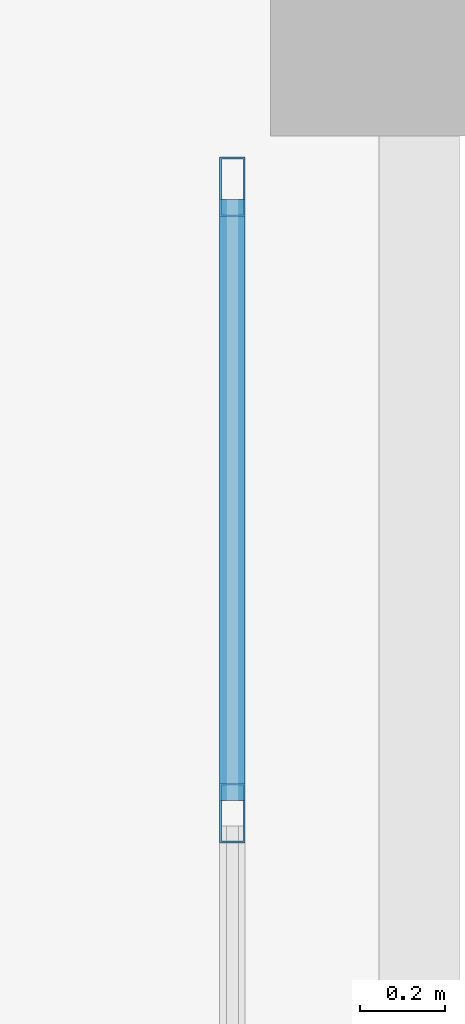
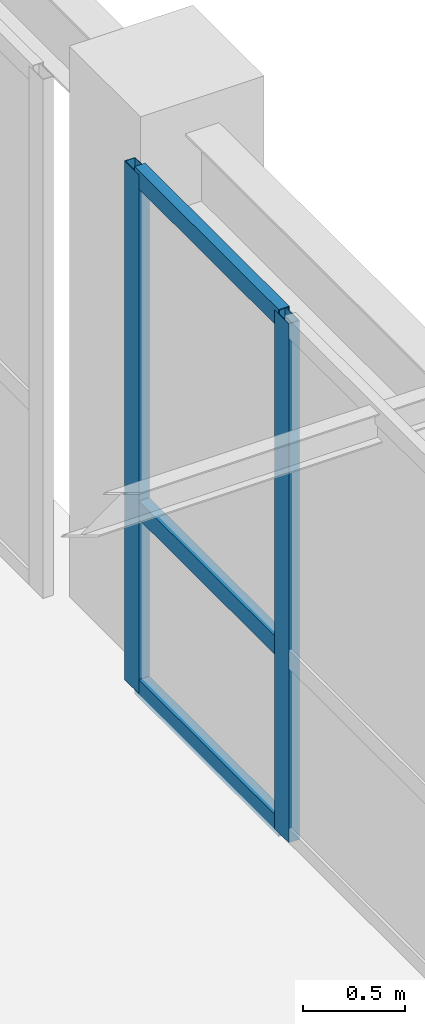
# One storey, part 37 of 148: 5 members, 1 element without a shape of its own.
"""IFC4 building model written with IfcOpenShell, lengths in metres."""

import ifcopenshell
import ifcopenshell.guid

model = None  # the IFC model being written
_history = None  # IfcOwnerHistory: only IFC2X3 demands one
_inside = {}  # id of a spatial element -> (the spatial element, [elements in it])
_under = {}  # id of a project, library or spatial element -> (it, [spatial elements below it])
_declared = {}  # id of a project -> (the project, [libraries it declares])
_typed = {}  # id of a type object -> (the type object, [elements of that type])
_made_of = {}  # id of a material, layer set ... -> (it, [elements and type objects made of it])


def new_model(schema):
    """Start an empty IFC model of exactly this schema.

    Asked for "IFC4X3", IfcOpenShell would pick the latest addendum, in which some entities
    have other attributes; the version numbers below select the first issue.
    IFC2X3 requires an IfcOwnerHistory on every rooted entity: one is made here for all.
    """
    global model, _history
    if schema == "IFC4X3":
        model = ifcopenshell.file(schema_version=(4, 3, 0, 0))
    else:
        model = ifcopenshell.file(schema=schema)
    _inside.clear()
    _under.clear()
    _declared.clear()
    _typed.clear()
    _made_of.clear()
    _history = None
    if model.schema == "IFC2X3":
        org = make("IfcOrganization", Name="unknown")
        user = make(
            "IfcPersonAndOrganization",
            ThePerson=make("IfcPerson", FamilyName="unknown"),
            TheOrganization=org,
        )
        app = make(
            "IfcApplication",
            ApplicationDeveloper=org,
            Version="unknown",
            ApplicationFullName="unknown",
            ApplicationIdentifier="unknown",
        )
        _history = make(
            "IfcOwnerHistory",
            OwningUser=user,
            OwningApplication=app,
            ChangeAction="ADDED",
            CreationDate=0,
        )
    return model


def make(cls, **values):
    """One entity of the class cls with the attributes given. An attribute that is None is left unset."""
    return model.create_entity(
        cls, **{name: value for name, value in values.items() if value is not None}
    )


def rooted(cls, **values):
    """An entity with a GlobalId (a new one), such as an element, a storey or a relation."""
    return make(cls, GlobalId=ifcopenshell.guid.new(), OwnerHistory=_history, **values)


def si_unit(unit_type, name, prefix=None):
    """IfcSIUnit, for example si_unit("LENGTHUNIT", "METRE", prefix="MILLI")."""
    return make("IfcSIUnit", UnitType=unit_type, Prefix=prefix, Name=name)


def assignment(units):
    """IfcUnitAssignment: the units of a project."""
    return None if units is None else make("IfcUnitAssignment", Units=units)


def point(xyz):
    """IfcCartesianPoint."""
    return None if xyz is None else make("IfcCartesianPoint", Coordinates=xyz)


def direction(xyz):
    """IfcDirection."""
    return None if xyz is None else make("IfcDirection", DirectionRatios=xyz)


def frame(location, z_axis=None, x_axis=None):
    """IfcAxis2Placement3D, a coordinate frame: its origin and axes. An axis left out is left unset."""
    return make(
        "IfcAxis2Placement3D",
        Location=point(location),
        Axis=direction(z_axis),
        RefDirection=direction(x_axis),
    )


def frame_2d(location, x_axis=None):
    """IfcAxis2Placement2D, a coordinate frame in the plane: its origin and x axis."""
    return make(
        "IfcAxis2Placement2D", Location=point(location), RefDirection=direction(x_axis)
    )


def origin():
    """The frame at (0, 0, 0) with its axes left unset."""
    return frame((0.0, 0.0, 0.0))


def origin_2d():
    """The frame at (0, 0) in the plane with its x axis left unset."""
    return frame_2d((0.0, 0.0))


def place(relative_to, where):
    """IfcLocalPlacement: puts the frame where relative to a parent placement (None: the world)."""
    return make(
        "IfcLocalPlacement", PlacementRelTo=relative_to, RelativePlacement=where
    )


def context(
    kind, dimensions, precision=None, world=None, true_north=None, identifier=None
):
    """IfcGeometricRepresentationContext, for example the 3D "Model" context."""
    return make(
        "IfcGeometricRepresentationContext",
        ContextIdentifier=identifier,
        ContextType=kind,
        CoordinateSpaceDimension=dimensions,
        Precision=precision,
        WorldCoordinateSystem=world,
        TrueNorth=true_north,
    )


def subcontext(parent, identifier, kind, view, scale=None):
    """IfcGeometricRepresentationSubContext, for example "Body" below "Model"."""
    return make(
        "IfcGeometricRepresentationSubContext",
        ContextIdentifier=identifier,
        ContextType=kind,
        ParentContext=parent,
        TargetScale=scale,
        TargetView=view,
    )


def project(units=None, contexts=None):
    """IfcProject with its units and contexts."""
    return rooted(
        "IfcProject",
        Name="project",
        RepresentationContexts=contexts,
        UnitsInContext=assignment(units),
    )


def spatial(cls, under=None, at=None, **own):
    """A site, building, storey or space (cls), placed at a placement, below another one or the project."""
    s = rooted(cls, ObjectPlacement=at, **own)
    if under is not None:
        _under.setdefault(under.id(), (under, []))[1].append(s)
    return s


def profile(cls, at=None, kind="AREA", **sizes):
    """A parametric profile (cls). Its sizes go by their IFC names, for example OverallWidth=200.0."""
    return make(cls, ProfileType=kind, Position=at, **sizes)


def hollow_rectangle(**sizes):
    """IfcRectangleHollowProfileDef."""
    return profile("IfcRectangleHollowProfileDef", **sizes)


def extrude(swept, where, along, depth):
    """IfcExtrudedAreaSolid: the profile swept, set in the frame where, extruded along a direction by depth."""
    return make(
        "IfcExtrudedAreaSolid",
        SweptArea=swept,
        Position=where,
        ExtrudedDirection=direction(along),
        Depth=depth,
    )


def shape(context_of_items, identifier, shape_type, items):
    """IfcShapeRepresentation: the items that make up one representation, for example the "Body"."""
    return make(
        "IfcShapeRepresentation",
        ContextOfItems=context_of_items,
        RepresentationIdentifier=identifier,
        RepresentationType=shape_type,
        Items=items,
    )


def material(Name=None, Category=None):
    """IfcMaterial."""
    return make("IfcMaterial", Name=Name, Category=Category)


def layer(
    of_material, thickness, ventilated=None, Name=None, Category=None, Priority=None
):
    """IfcMaterialLayer: one layer of a wall or slab, of a material (None: an air gap)."""
    return make(
        "IfcMaterialLayer",
        Material=of_material,
        LayerThickness=thickness,
        IsVentilated=ventilated,
        Name=Name,
        Category=Category,
        Priority=Priority,
    )


def layer_set(layers, Name=None):
    """IfcMaterialLayerSet."""
    return make("IfcMaterialLayerSet", MaterialLayers=layers, LayerSetName=Name)


def material_profile(
    of_material, cross_section, Name=None, Category=None, Priority=None
):
    """IfcMaterialProfile: a cross section and its material."""
    return make(
        "IfcMaterialProfile",
        Name=Name,
        Material=of_material,
        Profile=cross_section,
        Priority=Priority,
        Category=Category,
    )


def profile_set(profiles, Name=None, composite=None):
    """IfcMaterialProfileSet."""
    return make(
        "IfcMaterialProfileSet",
        Name=Name,
        MaterialProfiles=profiles,
        CompositeProfile=composite,
    )


def made_of(thing, what):
    """Note that an element or type object is made of a material, layer set ...; save() writes the relation."""
    if what is not None:
        _made_of.setdefault(what.id(), (what, []))[1].append(thing)
    return thing


def type_object(cls, material=None, **own):
    """A type object (cls), such as IfcWallType, which elements share."""
    return made_of(rooted(cls, **own), material)


def element(
    cls,
    number,
    at=None,
    inside=None,
    cuts=None,
    type_object=None,
    material=None,
    context=None,
    identifier="Body",
    shape_type=None,
    held_by="IfcProductDefinitionShape",
    body=None,
    shapes=None,
    **own,
):
    """One element of the class cls, such as IfcWall. Its Tag is "e" and its number.

    at: its placement. inside: the storey or other place that contains it. cuts: it is an
    opening in that element (IfcRelVoidsElement). A single representation is given by context,
    identifier, shape_type and body (its items); several are given by shapes. held_by: the class
    of the entity that holds the representations. save() writes the other relations.
    """
    e = rooted(cls, Tag="e%d" % number, ObjectPlacement=at, **own)
    if body is not None:
        shapes = [shape(context, identifier, shape_type, body)]
    if shapes is not None:
        e.Representation = make(held_by, Representations=shapes)
    if inside is not None:
        _inside.setdefault(inside.id(), (inside, []))[1].append(e)
    if cuts is not None:
        rooted(
            "IfcRelVoidsElement", RelatingBuildingElement=cuts, RelatedOpeningElement=e
        )
    if type_object is not None:
        _typed.setdefault(type_object.id(), (type_object, []))[1].append(e)
    return made_of(e, material)


def aggregate(whole, parts):
    """IfcRelAggregates: a whole, such as a stair, and the parts it consists of."""
    return rooted("IfcRelAggregates", RelatingObject=whole, RelatedObjects=parts)


def save(model, path):
    """Write the relations noted so far, then the file.

    IfcRelAggregates (storeys below a building ...), IfcRelContainedInSpatialStructure (elements
    in a storey), IfcRelDefinesByType, IfcRelAssociatesMaterial and IfcRelDeclares: one each for
    every whole, place, type object, material and project.
    """
    for whole, parts in _under.values():
        aggregate(whole, parts)
    for where, things in _inside.values():
        rooted(
            "IfcRelContainedInSpatialStructure",
            RelatedElements=things,
            RelatingStructure=where,
        )
    for kind, things in _typed.values():
        rooted("IfcRelDefinesByType", RelatedObjects=things, RelatingType=kind)
    for what, things in _made_of.values():
        rooted("IfcRelAssociatesMaterial", RelatedObjects=things, RelatingMaterial=what)
    for by, libraries in _declared.values():
        rooted("IfcRelDeclares", RelatingContext=by, RelatedDefinitions=libraries)
    model.write(path)


model = new_model("IFC4")

# Units and contexts
model_context = context("Model", 3, precision=1e-05, world=origin(), true_north=direction((0.0, 1.0)))
body_context = subcontext(model_context, "Body", "Model", "MODEL_VIEW")
ifc_project = project(units=[si_unit("LENGTHUNIT", "METRE"), si_unit("AREAUNIT", "SQUARE_METRE"), si_unit("VOLUMEUNIT", "CUBIC_METRE"), si_unit("PLANEANGLEUNIT", "RADIAN"), si_unit("MASSUNIT", "GRAM", prefix="KILO")], contexts=[model_context])

# Site, building, storey
site_placement = place(None, origin())
site = spatial("IfcSite", under=ifc_project, at=site_placement, CompositionType="ELEMENT")
building_placement = place(site_placement, origin())
building = spatial("IfcBuilding", under=site, at=building_placement, Name="Trelvath General Hospital", CompositionType="ELEMENT")
storey_placement = place(building_placement, frame((0.0, 0.0, 12.89990234375)))
storey = spatial("IfcBuildingStorey", under=building, at=storey_placement, Name="L03", CompositionType="ELEMENT", Elevation=12.89990234375)

# Curtain wall, members
ifc_material_1 = material(Name="Anodised aluminium and low-E glass", Category="aluminium")
ifc_layer = layer(ifc_material_1, 0.139892578125)
ifc_layer_set = layer_set([ifc_layer], Name="Anodised aluminium and low-E glass")
curtain_wall_type = type_object("IfcCurtainWallType", Name="CW Bridge 752 311", PredefinedType="USERDEFINED", material=ifc_layer_set)
curtain_wall_placement = place(storey_placement, origin())
curtain_wall = element("IfcCurtainWall", 1, at=curtain_wall_placement, inside=storey, type_object=curtain_wall_type, Name="Glazed Bridge Curtain Wall BRG-S-C E L03", ObjectType="Unitised Glazed Curtain Wall", PredefinedType="USERDEFINED")
ifc_material_2 = material(Name="Anodised aluminium", Category="aluminium")
ifc_material_profile_1 = material_profile(ifc_material_2, hollow_rectangle(XDim=0.06005859375, YDim=0.139892578125, WallThickness=0.00390625, at=origin_2d()), Name="RHS60x140x4")
ifc_profile_set_1 = profile_set([ifc_material_profile_1], Name="Anodised aluminium")
member_type_1 = type_object("IfcMemberType", Name="CurtainMullion 60x140", PredefinedType="MULLION", material=ifc_profile_set_1)
member_1_placement = place(storey_placement, frame((83.56005859375, 33.1298828125, 0.0), z_axis=(0.0, 0.0, 1.0), x_axis=(1.0, 0.0, 0.0)))
member_1 = element("IfcMember", 2, at=member_1_placement, type_object=member_type_1, Name="CW-265 mullion 1", PredefinedType="MULLION", context=body_context, shape_type="SweptSolid", body=[
    extrude(hollow_rectangle(XDim=0.06005859375, YDim=0.139892578125, WallThickness=0.00390625, at=origin_2d()), origin(), (0.0, 0.0, 1.0), 3.110107421875),
])
member_2_placement = place(storey_placement, frame((83.56005859375, 31.656005859375, 0.0), z_axis=(0.0, 0.0, 1.0), x_axis=(1.0, 0.0, 0.0)))
member_2 = element("IfcMember", 3, at=member_2_placement, type_object=member_type_1, Name="CW-265 mullion 2", PredefinedType="MULLION", context=body_context, shape_type="SweptSolid", body=[
    extrude(hollow_rectangle(XDim=0.06005859375, YDim=0.139892578125, WallThickness=0.00390625, at=origin_2d()), origin(), (0.0, 0.0, 1.0), 3.110107421875),
])
ifc_material_3 = material(Name="Anodised aluminium", Category="aluminium")
ifc_material_profile_2 = material_profile(ifc_material_3, hollow_rectangle(XDim=0.06005859375, YDim=0.110107421875, WallThickness=0.00390625, at=origin_2d()), Name="RHS60x110x4")
ifc_profile_set_2 = profile_set([ifc_material_profile_2], Name="Anodised aluminium")
member_type_2 = type_object("IfcMemberType", Name="CurtainTransom 60x110", PredefinedType="USERDEFINED", material=ifc_profile_set_2)
member_3_placement = place(storey_placement, frame((83.56005859375, 33.10009765625, 0.030029296875), z_axis=(0.0, -1.0, 0.0), x_axis=(1.0, 0.0, 0.0)))
member_3 = element("IfcMember", 4, at=member_3_placement, type_object=member_type_2, Name="CW-265 transom 1.1", ObjectType="TRANSOM", PredefinedType="USERDEFINED", context=body_context, shape_type="SweptSolid", body=[
    extrude(hollow_rectangle(XDim=0.06005859375, YDim=0.110107421875, WallThickness=0.00390625, at=origin_2d()), origin(), (0.0, 0.0, 1.0), 1.4140625),
])
member_4_placement = place(storey_placement, frame((83.56005859375, 33.10009765625, 1.10009765625), z_axis=(0.0, -1.0, 0.0), x_axis=(1.0, 0.0, 0.0)))
member_4 = element("IfcMember", 5, at=member_4_placement, type_object=member_type_2, Name="CW-265 transom 1.2", ObjectType="TRANSOM", PredefinedType="USERDEFINED", context=body_context, shape_type="SweptSolid", body=[
    extrude(hollow_rectangle(XDim=0.06005859375, YDim=0.110107421875, WallThickness=0.00390625, at=origin_2d()), origin(), (0.0, 0.0, 1.0), 1.4140625),
])
member_5_placement = place(storey_placement, frame((83.56005859375, 33.10009765625, 3.080078125), z_axis=(0.0, -1.0, 0.0), x_axis=(1.0, 0.0, 0.0)))
member_5 = element("IfcMember", 6, at=member_5_placement, type_object=member_type_2, Name="CW-265 transom 1.3", ObjectType="TRANSOM", PredefinedType="USERDEFINED", context=body_context, shape_type="SweptSolid", body=[
    extrude(hollow_rectangle(XDim=0.06005859375, YDim=0.110107421875, WallThickness=0.00390625, at=origin_2d()), origin(), (0.0, 0.0, 1.0), 1.4140625),
])
aggregate(curtain_wall, [member_1, member_2, member_3, member_4, member_5])

save(model, "model.ifc")
